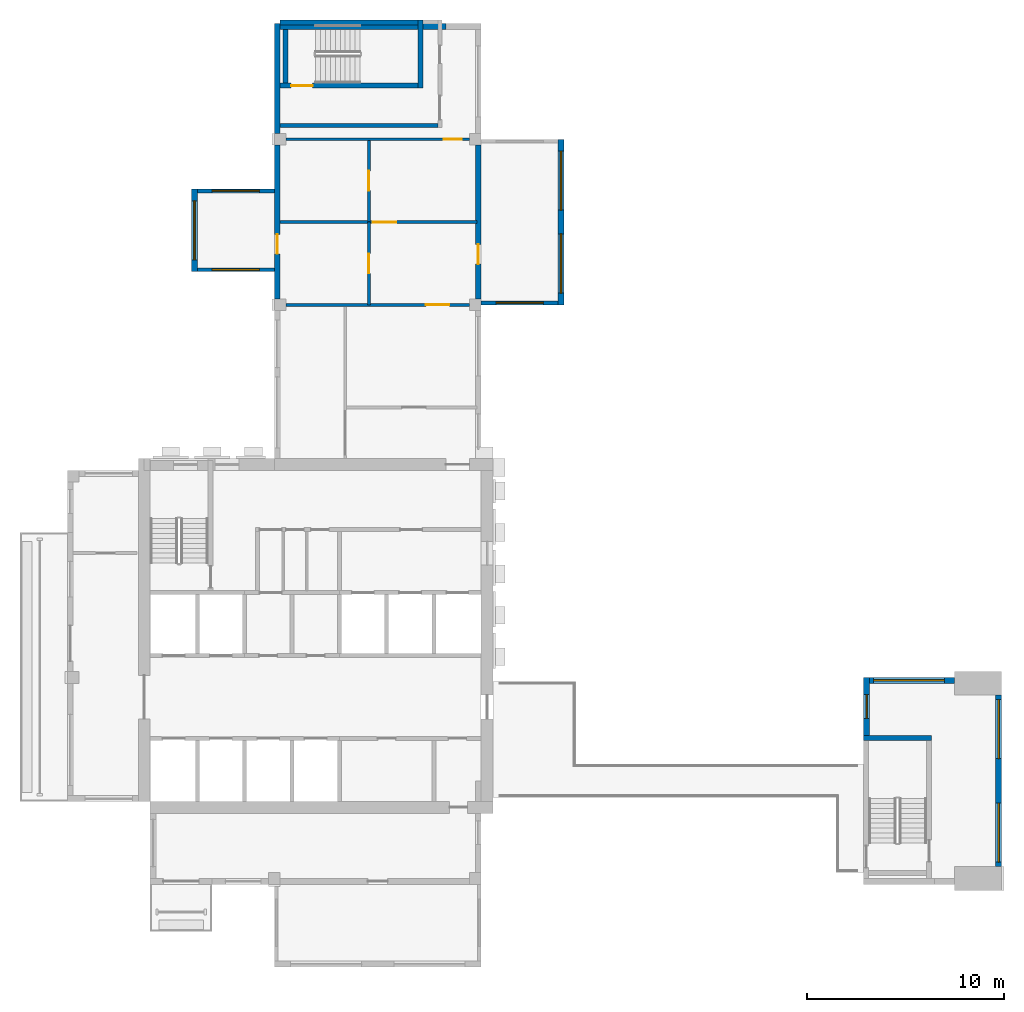
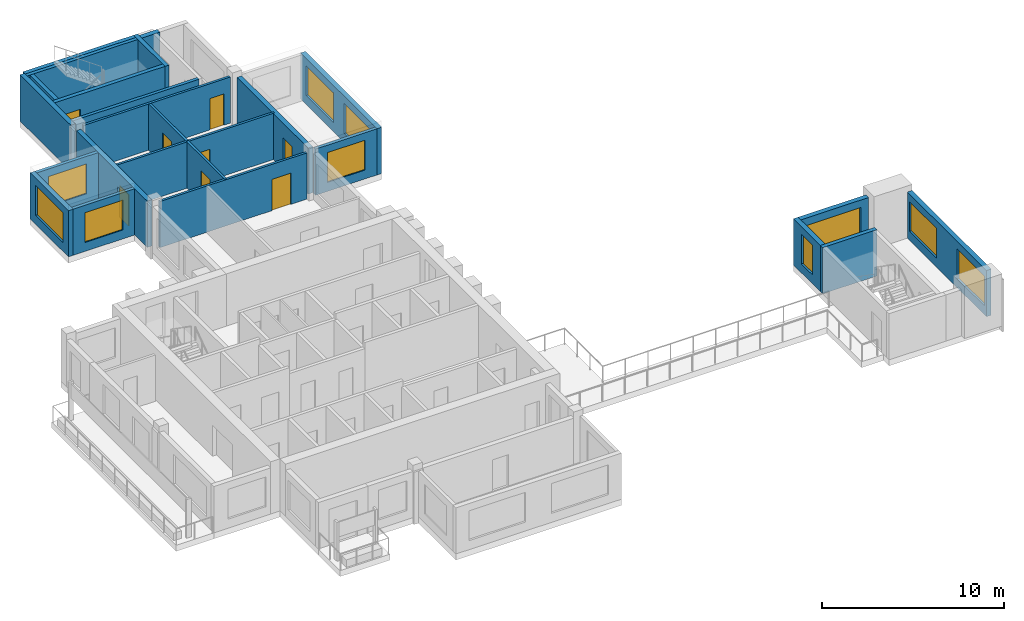
# One storey, part 4 of 9: 23 walls, 10 windows, 8 doors, 18 openings.
"""IFC4 building model written with IfcOpenShell, lengths in metres."""

from ifc_helpers import new_model, si_unit, direction, frame, frame_2d, origin, place, context, subcontext, project, spatial, rectangle, extrude, source, transform, mapped, material, layer, layer_set, type_object, element, fill, save


model = new_model("IFC4")

# Units and contexts
model_context = context("Model", 3, precision=1e-05, world=origin(), true_north=direction((0.0, 1.0)))
body_context = subcontext(model_context, "Body", "Model", "MODEL_VIEW")
ifc_project = project(units=[si_unit("LENGTHUNIT", "METRE"), si_unit("AREAUNIT", "SQUARE_METRE"), si_unit("VOLUMEUNIT", "CUBIC_METRE"), si_unit("PLANEANGLEUNIT", "RADIAN"), si_unit("MASSUNIT", "GRAM", prefix="KILO")], contexts=[model_context])

# Site, building, storey
site_placement = place(None, origin())
site = spatial("IfcSite", under=ifc_project, at=site_placement, CompositionType="ELEMENT")
building_placement = place(site_placement, origin())
building = spatial("IfcBuilding", under=site, at=building_placement, Name="Aurelian Terraces", CompositionType="ELEMENT")
storey_placement = place(building_placement, frame((0.0, 0.0, 333.5)))
storey = spatial("IfcBuildingStorey", under=building, at=storey_placement, Name="L78", CompositionType="ELEMENT", Elevation=333.5)

# Wall, openings, windows
ifc_material_1 = material(Name="Terracotta rainscreen cladding", Category="masonry")
ifc_layer_1 = layer(ifc_material_1, 0.3)
ifc_layer_set_1 = layer_set([ifc_layer_1], Name="EW-300")
wall_type_1 = type_object("IfcWallType", Name="EW-300", PredefinedType="STANDARD", material=ifc_layer_set_1)
wall_1_placement = place(storey_placement, frame((47.25, 0.9, 0.0), z_axis=(0.0, 0.0, 1.0), x_axis=(0.0, 1.0, 0.0)))
wall_1 = element("IfcWall", 1, at=wall_1_placement, inside=storey, type_object=wall_type_1, Name="External wall L78 F14.23", PredefinedType="STANDARD", context=body_context, shape_type="SweptSolid", body=[
    extrude(rectangle(XDim=8.7, YDim=0.3, at=frame_2d((4.35, 0.0))), origin(), (0.0, 0.0, 1.0), 3.1),
])
shared_shape_1 = source(origin(), body_context, "Body", "SweptSolid", [
    extrude(rectangle(XDim=3.0, YDim=2.0, at=frame_2d((1.5, 1.0))), frame((0.0, 0.16, 0.0), z_axis=(0.0, -1.0, 0.0), x_axis=(1.0, 0.0, 0.0)), (0.0, 0.0, 1.0), 0.32),
])
opening_1_placement = place(wall_1_placement, frame((0.225, 0.0, 0.6)))
opening_1 = element("IfcOpeningElement", 2, at=opening_1_placement, cuts=wall_1, Name="Opening W3020", PredefinedType="OPENING", context=body_context, shape_type="MappedRepresentation", body=[
    mapped(shared_shape_1, transform((0.0, 0.0, 0.0), scale=1.0)),
])
opening_2_placement = place(wall_1_placement, frame((5.475, 0.0, 0.6)))
opening_2 = element("IfcOpeningElement", 3, at=opening_2_placement, cuts=wall_1, Name="Opening W3020", PredefinedType="OPENING", context=body_context, shape_type="MappedRepresentation", body=[
    mapped(shared_shape_1, transform((0.0, 0.0, 0.0), scale=1.0)),
])
ifc_material_2 = material(Name="Clear glazing", Category="glass")
window_type_1 = type_object("IfcWindowType", Name="W-3000x2000", PartitioningType="SINGLE_PANEL", PredefinedType="WINDOW", material=ifc_material_2)
shared_shape_2 = source(origin(), body_context, "Body", "SweptSolid", [
    extrude(rectangle(XDim=3.0, YDim=2.0, at=frame_2d((1.5, 1.0))), frame((0.0, 0.03, 0.0), z_axis=(0.0, -1.0, 0.0), x_axis=(1.0, 0.0, 0.0)), (0.0, 0.0, 1.0), 0.06),
])
window_1_placement = place(opening_1_placement, origin())
window_1 = element("IfcWindow", 4, at=window_1_placement, inside=storey, type_object=window_type_1, Name="Window L78 L78-F14-23-0", OverallHeight=2.0, OverallWidth=3.0, PartitioningType="SINGLE_PANEL", PredefinedType="WINDOW", context=body_context, shape_type="MappedRepresentation", body=[
    mapped(shared_shape_2, transform((0.0, 0.0, 0.0), scale=1.0)),
])
fill(opening_1, window_1)
window_2_placement = place(opening_2_placement, origin())
window_2 = element("IfcWindow", 5, at=window_2_placement, inside=storey, type_object=window_type_1, Name="Window L78 L78-F14-23-1", OverallHeight=2.0, OverallWidth=3.0, PartitioningType="SINGLE_PANEL", PredefinedType="WINDOW", context=body_context, shape_type="MappedRepresentation", body=[
    mapped(shared_shape_2, transform((0.0, 0.0, 0.0), scale=1.0)),
])
fill(opening_2, window_2)

# Wall, opening, window
wall_2_placement = place(storey_placement, frame((45.0, 10.35, 0.0), z_axis=(0.0, 0.0, 1.0), x_axis=(-1.0, 0.0, 0.0)))
wall_2 = element("IfcWall", 6, at=wall_2_placement, inside=storey, type_object=wall_type_1, Name="External wall L78 F15.24", PredefinedType="STANDARD", context=body_context, shape_type="SweptSolid", body=[
    extrude(rectangle(XDim=4.6, YDim=0.3, at=frame_2d((2.3, 0.0))), origin(), (0.0, 0.0, 1.0), 3.1),
])
shared_shape_3 = source(origin(), body_context, "Body", "SweptSolid", [
    extrude(rectangle(XDim=3.6, YDim=2.0, at=frame_2d((1.8, 1.0))), frame((0.0, 0.16, 0.0), z_axis=(0.0, -1.0, 0.0), x_axis=(1.0, 0.0, 0.0)), (0.0, 0.0, 1.0), 0.32),
])
opening_3_placement = place(wall_2_placement, frame((0.5, 0.0, 0.6)))
opening_3 = element("IfcOpeningElement", 7, at=opening_3_placement, cuts=wall_2, Name="Opening W3620", PredefinedType="OPENING", context=body_context, shape_type="MappedRepresentation", body=[
    mapped(shared_shape_3, transform((0.0, 0.0, 0.0), scale=1.0)),
])
window_type_2 = type_object("IfcWindowType", Name="W-3600x2000", PartitioningType="SINGLE_PANEL", PredefinedType="WINDOW", material=ifc_material_2)
shared_shape_4 = source(origin(), body_context, "Body", "SweptSolid", [
    extrude(rectangle(XDim=3.6, YDim=2.0, at=frame_2d((1.8, 1.0))), frame((0.0, 0.03, 0.0), z_axis=(0.0, -1.0, 0.0), x_axis=(1.0, 0.0, 0.0)), (0.0, 0.0, 1.0), 0.06),
])
window_3_placement = place(opening_3_placement, origin())
window_3 = element("IfcWindow", 8, at=window_3_placement, inside=storey, type_object=window_type_2, Name="Window L78 L78-F15-24-P0", OverallHeight=2.0, OverallWidth=3.6, PartitioningType="SINGLE_PANEL", PredefinedType="WINDOW", context=body_context, shape_type="MappedRepresentation", body=[
    mapped(shared_shape_4, transform((0.0, 0.0, 0.0), scale=1.0)),
])
fill(opening_3, window_3)

wall_3_placement = place(storey_placement, frame((40.55, 10.5, 0.0), z_axis=(0.0, 0.0, 1.0), x_axis=(0.0, -1.0, 0.0)))
wall_3 = element("IfcWall", 9, at=wall_3_placement, inside=storey, type_object=wall_type_1, Name="External wall L78 F16.25", PredefinedType="STANDARD", context=body_context, shape_type="SweptSolid", body=[
    extrude(rectangle(XDim=2.95, YDim=0.3, at=frame_2d((1.475, 0.0))), origin(), (0.0, 0.0, 1.0), 3.1),
])
shared_shape_5 = source(origin(), body_context, "Body", "SweptSolid", [
    extrude(rectangle(XDim=1.2, YDim=2.0, at=frame_2d((0.6, 1.0))), frame((0.0, 0.16, 0.0), z_axis=(0.0, -1.0, 0.0), x_axis=(1.0, 0.0, 0.0)), (0.0, 0.0, 1.0), 0.32),
])
opening_4_placement = place(wall_3_placement, frame((0.875, 0.0, 0.6)))
opening_4 = element("IfcOpeningElement", 10, at=opening_4_placement, cuts=wall_3, Name="Opening W1220", PredefinedType="OPENING", context=body_context, shape_type="MappedRepresentation", body=[
    mapped(shared_shape_5, transform((0.0, 0.0, 0.0), scale=1.0)),
])
window_type_3 = type_object("IfcWindowType", Name="W-1200x2000", PartitioningType="SINGLE_PANEL", PredefinedType="WINDOW", material=ifc_material_2)
shared_shape_6 = source(origin(), body_context, "Body", "SweptSolid", [
    extrude(rectangle(XDim=1.2, YDim=2.0, at=frame_2d((0.6, 1.0))), frame((0.0, 0.03, 0.0), z_axis=(0.0, -1.0, 0.0), x_axis=(1.0, 0.0, 0.0)), (0.0, 0.0, 1.0), 0.06),
])
window_4_placement = place(opening_4_placement, origin())
window_4 = element("IfcWindow", 11, at=window_4_placement, inside=storey, type_object=window_type_3, Name="Window L78 L78-F16-25-0", OverallHeight=2.0, OverallWidth=1.2, PartitioningType="SINGLE_PANEL", PredefinedType="WINDOW", context=body_context, shape_type="MappedRepresentation", body=[
    mapped(shared_shape_6, transform((0.0, 0.0, 0.0), scale=1.0)),
])
fill(opening_4, window_4)

# Wall, opening, door
ifc_material_3 = material(Name="Gypsum board on steel studs", Category="steel")
ifc_layer_2 = layer(ifc_material_3, 0.15)
ifc_layer_set_2 = layer_set([ifc_layer_2], Name="Partition 150")
wall_type_2 = type_object("IfcWallType", Name="Partition 150", PredefinedType="PARTITIONING", material=ifc_layer_set_2)
wall_4_placement = place(storey_placement, frame((15.3, 33.6, 0.0), z_axis=(0.0, 0.0, 1.0), x_axis=(0.0, -1.0, 0.0)))
wall_4 = element("IfcWall", 12, at=wall_4_placement, inside=storey, type_object=wall_type_2, Name="Partition", PredefinedType="PARTITIONING", context=body_context, shape_type="SweptSolid", body=[
    extrude(rectangle(XDim=4.2, YDim=0.15, at=frame_2d((2.1, 0.0))), origin(), (0.0, 0.0, 1.0), 3.1),
])
shared_shape_7 = source(origin(), body_context, "Body", "SweptSolid", [
    extrude(rectangle(XDim=1.0, YDim=2.1, at=frame_2d((0.5, 1.05))), frame((0.0, 0.085, 0.0), z_axis=(0.0, -1.0, 0.0), x_axis=(1.0, 0.0, 0.0)), (0.0, 0.0, 1.0), 0.17),
])
opening_5_placement = place(wall_4_placement, frame((1.6, 0.0, 0.0)))
opening_5 = element("IfcOpeningElement", 13, at=opening_5_placement, cuts=wall_4, Name="Opening 778003", PredefinedType="OPENING", context=body_context, shape_type="MappedRepresentation", body=[
    mapped(shared_shape_7, transform((0.0, 0.0, 0.0), scale=1.0)),
])
ifc_material_4 = material(Name="Timber door leaf", Category="wood")
door_type_1 = type_object("IfcDoorType", Name="Room door 1000x2100 left", OperationType="SINGLE_SWING_LEFT", PredefinedType="DOOR", material=ifc_material_4)
shared_shape_8 = source(origin(), body_context, "Body", "SweptSolid", [
    extrude(rectangle(XDim=1.0, YDim=2.1, at=frame_2d((0.5, 1.05))), frame((0.0, 0.025, 0.0), z_axis=(0.0, -1.0, 0.0), x_axis=(1.0, 0.0, 0.0)), (0.0, 0.0, 1.0), 0.05),
])
door_1_placement = place(opening_5_placement, origin())
door_1 = element("IfcDoor", 14, at=door_1_placement, inside=storey, type_object=door_type_1, Name="Door 778003", OperationType="SINGLE_SWING_LEFT", OverallHeight=2.1, OverallWidth=1.0, PredefinedType="DOOR", context=body_context, shape_type="MappedRepresentation", body=[
    mapped(shared_shape_8, transform((0.0, 0.0, 0.0), scale=1.0)),
])
fill(opening_5, door_1)

wall_5_placement = place(storey_placement, frame((15.3, 37.725, 0.0), z_axis=(0.0, 0.0, 1.0), x_axis=(0.0, -1.0, 0.0)))
wall_5 = element("IfcWall", 15, at=wall_5_placement, inside=storey, type_object=wall_type_2, Name="Partition", PredefinedType="PARTITIONING", context=body_context, shape_type="SweptSolid", body=[
    extrude(rectangle(XDim=4.105, YDim=0.15, at=frame_2d((2.0525, 0.0))), origin(), (0.0, 0.0, 1.0), 3.1),
])
opening_6_placement = place(wall_5_placement, frame((1.525, 0.0, 0.0)))
opening_6 = element("IfcOpeningElement", 16, at=opening_6_placement, cuts=wall_5, Name="Opening 778004", PredefinedType="OPENING", context=body_context, shape_type="MappedRepresentation", body=[
    mapped(shared_shape_7, transform((0.0, 0.0, 0.0), scale=1.0)),
])
door_type_2 = type_object("IfcDoorType", Name="Room door 1000x2100 right", OperationType="SINGLE_SWING_RIGHT", PredefinedType="DOOR", material=ifc_material_4)
door_2_placement = place(opening_6_placement, origin())
door_2 = element("IfcDoor", 17, at=door_2_placement, inside=storey, type_object=door_type_2, Name="Door 778004", OperationType="SINGLE_SWING_RIGHT", OverallHeight=2.1, OverallWidth=1.0, PredefinedType="DOOR", context=body_context, shape_type="MappedRepresentation", body=[
    mapped(shared_shape_8, transform((0.0, 0.0, 0.0), scale=1.0)),
])
fill(opening_6, door_2)

wall_6_placement = place(storey_placement, frame((10.8, 33.6, 0.0), z_axis=(0.0, 0.0, 1.0), x_axis=(1.0, 0.0, 0.0)))
wall_6 = element("IfcWall", 18, at=wall_6_placement, inside=storey, type_object=wall_type_2, Name="Partition", PredefinedType="PARTITIONING", context=body_context, shape_type="SweptSolid", body=[
    extrude(rectangle(XDim=9.995, YDim=0.15, at=frame_2d((4.9975, 0.0))), origin(), (0.0, 0.0, 1.0), 3.1),
])
shared_shape_9 = source(origin(), body_context, "Body", "SweptSolid", [
    extrude(rectangle(XDim=1.2, YDim=2.1, at=frame_2d((0.6, 1.05))), frame((0.0, 0.085, 0.0), z_axis=(0.0, -1.0, 0.0), x_axis=(1.0, 0.0, 0.0)), (0.0, 0.0, 1.0), 0.17),
])
opening_7_placement = place(wall_6_placement, frame((4.7, 0.0, 0.0)))
opening_7 = element("IfcOpeningElement", 19, at=opening_7_placement, cuts=wall_6, Name="Opening 778006", PredefinedType="OPENING", context=body_context, shape_type="MappedRepresentation", body=[
    mapped(shared_shape_9, transform((0.0, 0.0, 0.0), scale=1.0)),
])
door_type_3 = type_object("IfcDoorType", Name="Room door 1200x2100 left", OperationType="SINGLE_SWING_LEFT", PredefinedType="DOOR", material=ifc_material_4)
shared_shape_10 = source(origin(), body_context, "Body", "SweptSolid", [
    extrude(rectangle(XDim=1.2, YDim=2.1, at=frame_2d((0.6, 1.05))), frame((0.0, 0.025, 0.0), z_axis=(0.0, -1.0, 0.0), x_axis=(1.0, 0.0, 0.0)), (0.0, 0.0, 1.0), 0.05),
])
door_3_placement = place(opening_7_placement, origin())
door_3 = element("IfcDoor", 20, at=door_3_placement, inside=storey, type_object=door_type_3, Name="Door 778006", OperationType="SINGLE_SWING_LEFT", OverallHeight=2.1, OverallWidth=1.2, PredefinedType="DOOR", context=body_context, shape_type="MappedRepresentation", body=[
    mapped(shared_shape_10, transform((0.0, 0.0, 0.0), scale=1.0)),
])
fill(opening_7, door_3)

# Wall, opening, window
ifc_material_5 = material(Name="Concrete fc' 40 MPa", Category="concrete")
ifc_layer_3 = layer(ifc_material_5, 0.2)
ifc_layer_set_3 = layer_set([ifc_layer_3], Name="BOX BEARING WALL 200")
wall_type_3 = type_object("IfcWallType", Name="BOX BEARING WALL 200", PredefinedType="SOLIDWALL", material=ifc_layer_set_3)
shared_shape_11 = source(origin(), body_context, "Body", "SweptSolid", [
    extrude(rectangle(XDim=3.9, YDim=0.2, at=frame_2d((1.95, 0.0))), origin(), (0.0, 0.0, 1.0), 3.1),
])
wall_7_placement = place(storey_placement, frame((21.0, 29.5, 0.0), z_axis=(0.0, 0.0, 1.0), x_axis=(1.0, 0.0, 0.0)))
wall_7 = element("IfcWall", 21, at=wall_7_placement, inside=storey, type_object=wall_type_3, Name="Box return L78 J91.1", PredefinedType="SOLIDWALL", context=body_context, shape_type="MappedRepresentation", body=[
    mapped(shared_shape_11, transform((0.0, 0.0, 0.0), scale=1.0)),
])
shared_shape_12 = source(origin(), body_context, "Body", "SweptSolid", [
    extrude(rectangle(XDim=2.4, YDim=2.0, at=frame_2d((1.2, 1.0))), frame((0.0, 0.11, 0.0), z_axis=(0.0, -1.0, 0.0), x_axis=(1.0, 0.0, 0.0)), (0.0, 0.0, 1.0), 0.22),
])
opening_8_placement = place(wall_7_placement, frame((0.75, 0.0, 0.6)))
opening_8 = element("IfcOpeningElement", 22, at=opening_8_placement, cuts=wall_7, Name="Opening W2420", PredefinedType="OPENING", context=body_context, shape_type="MappedRepresentation", body=[
    mapped(shared_shape_12, transform((0.0, 0.0, 0.0), scale=1.0)),
])
window_type_4 = type_object("IfcWindowType", Name="W-2400x2000", PartitioningType="SINGLE_PANEL", PredefinedType="WINDOW", material=ifc_material_2)
shared_shape_13 = source(origin(), body_context, "Body", "SweptSolid", [
    extrude(rectangle(XDim=2.4, YDim=2.0, at=frame_2d((1.2, 1.0))), frame((0.0, 0.03, 0.0), z_axis=(0.0, -1.0, 0.0), x_axis=(1.0, 0.0, 0.0)), (0.0, 0.0, 1.0), 0.06),
])
window_5_placement = place(opening_8_placement, origin())
window_5 = element("IfcWindow", 23, at=window_5_placement, inside=storey, type_object=window_type_4, Name="Window L78 J91-S1", OverallHeight=2.0, OverallWidth=2.4, PartitioningType="SINGLE_PANEL", PredefinedType="WINDOW", context=body_context, shape_type="MappedRepresentation", body=[
    mapped(shared_shape_13, transform((0.0, 0.0, 0.0), scale=1.0)),
])
fill(opening_8, window_5)

wall_8_placement = place(storey_placement, frame((10.5, 35.18, 0.0), z_axis=(0.0, 0.0, 1.0), x_axis=(-1.0, 0.0, 0.0)))
wall_8 = element("IfcWall", 24, at=wall_8_placement, inside=storey, type_object=wall_type_3, Name="Box return L78 J92.1", PredefinedType="SOLIDWALL", context=body_context, shape_type="MappedRepresentation", body=[
    mapped(shared_shape_11, transform((0.0, 0.0, 0.0), scale=1.0)),
])
opening_9_placement = place(wall_8_placement, frame((0.75, 0.0, 0.6)))
opening_9 = element("IfcOpeningElement", 25, at=opening_9_placement, cuts=wall_8, Name="Opening W2420", PredefinedType="OPENING", context=body_context, shape_type="MappedRepresentation", body=[
    mapped(shared_shape_12, transform((0.0, 0.0, 0.0), scale=1.0)),
])
window_6_placement = place(opening_9_placement, origin())
window_6 = element("IfcWindow", 26, at=window_6_placement, inside=storey, type_object=window_type_4, Name="Window L78 J92-S1", OverallHeight=2.0, OverallWidth=2.4, PartitioningType="SINGLE_PANEL", PredefinedType="WINDOW", context=body_context, shape_type="MappedRepresentation", body=[
    mapped(shared_shape_13, transform((0.0, 0.0, 0.0), scale=1.0)),
])
fill(opening_9, window_6)

wall_9_placement = place(storey_placement, frame((10.5, 31.18, 0.0), z_axis=(0.0, 0.0, 1.0), x_axis=(-1.0, 0.0, 0.0)))
wall_9 = element("IfcWall", 27, at=wall_9_placement, inside=storey, type_object=wall_type_3, Name="Box return L78 J92.2", PredefinedType="SOLIDWALL", context=body_context, shape_type="MappedRepresentation", body=[
    mapped(shared_shape_11, transform((0.0, 0.0, 0.0), scale=1.0)),
])
opening_10_placement = place(wall_9_placement, frame((0.75, 0.0, 0.6)))
opening_10 = element("IfcOpeningElement", 28, at=opening_10_placement, cuts=wall_9, Name="Opening W2420", PredefinedType="OPENING", context=body_context, shape_type="MappedRepresentation", body=[
    mapped(shared_shape_12, transform((0.0, 0.0, 0.0), scale=1.0)),
])
window_7_placement = place(opening_10_placement, origin())
window_7 = element("IfcWindow", 29, at=window_7_placement, inside=storey, type_object=window_type_4, Name="Window L78 J92-S2", OverallHeight=2.0, OverallWidth=2.4, PartitioningType="SINGLE_PANEL", PredefinedType="WINDOW", context=body_context, shape_type="MappedRepresentation", body=[
    mapped(shared_shape_13, transform((0.0, 0.0, 0.0), scale=1.0)),
])
fill(opening_10, window_7)

# Wall
ifc_layer_4 = layer(ifc_material_5, 0.3)
ifc_layer_set_4 = layer_set([ifc_layer_4], Name="STAIR BAY WALL 300")
wall_type_4 = type_object("IfcWallType", Name="STAIR BAY WALL 300", PredefinedType="SOLIDWALL", material=ifc_layer_set_4)
shared_shape_14 = source(origin(), body_context, "Body", "SweptSolid", [
    extrude(rectangle(XDim=8.6, YDim=0.3, at=frame_2d((4.3, 0.0))), origin(), (0.0, 0.0, 1.0), 3.1),
])
wall_10_placement = place(storey_placement, frame((19.2, 43.53, 0.0), z_axis=(0.0, 0.0, 1.0), x_axis=(-1.0, 0.0, 0.0)))
element("IfcWall", 30, at=wall_10_placement, inside=storey, type_object=wall_type_4, Name="Stair bay wall L78 F03.10", PredefinedType="SOLIDWALL", context=body_context, shape_type="MappedRepresentation", body=[
    mapped(shared_shape_14, transform((0.0, 0.0, 0.0), scale=1.0)),
])

# Wall, opening, door
shared_shape_15 = source(origin(), body_context, "Body", "SweptSolid", [
    extrude(rectangle(XDim=7.8, YDim=0.3, at=frame_2d((3.9, 0.0))), origin(), (0.0, 0.0, 1.0), 3.1),
])
wall_11_placement = place(storey_placement, frame((20.85, 29.7, 0.0), z_axis=(0.0, 0.0, 1.0), x_axis=(0.0, 1.0, 0.0)))
wall_11 = element("IfcWall", 31, at=wall_11_placement, inside=storey, type_object=wall_type_1, Name="External wall L78 F02.8", PredefinedType="STANDARD", context=body_context, shape_type="MappedRepresentation", body=[
    mapped(shared_shape_15, transform((0.0, 0.0, 0.0), scale=1.0)),
])
shared_shape_16 = source(origin(), body_context, "Body", "SweptSolid", [
    extrude(rectangle(XDim=1.0, YDim=2.1, at=frame_2d((0.5, 1.05))), frame((0.0, 0.16, 0.0), z_axis=(0.0, -1.0, 0.0), x_axis=(1.0, 0.0, 0.0)), (0.0, 0.0, 1.0), 0.32),
])
opening_11_placement = place(wall_11_placement, frame((1.7667, 0.0, 0.0)))
opening_11 = element("IfcOpeningElement", 32, at=opening_11_placement, cuts=wall_11, Name="Opening 878001", PredefinedType="OPENING", context=body_context, shape_type="MappedRepresentation", body=[
    mapped(shared_shape_16, transform((0.0, 0.0, 0.0), scale=1.0)),
])
door_4_placement = place(opening_11_placement, origin())
door_4 = element("IfcDoor", 33, at=door_4_placement, inside=storey, type_object=door_type_1, Name="Door 878001", OperationType="SINGLE_SWING_LEFT", OverallHeight=2.1, OverallWidth=1.0, PredefinedType="DOOR", context=body_context, shape_type="MappedRepresentation", body=[
    mapped(shared_shape_8, transform((0.0, 0.0, 0.0), scale=1.0)),
])
fill(opening_11, door_4)

wall_12_placement = place(storey_placement, frame((10.65, 37.5, 0.0), z_axis=(0.0, 0.0, 1.0), x_axis=(0.0, -1.0, 0.0)))
wall_12 = element("IfcWall", 34, at=wall_12_placement, inside=storey, type_object=wall_type_1, Name="External wall L78 F04.11", PredefinedType="STANDARD", context=body_context, shape_type="MappedRepresentation", body=[
    mapped(shared_shape_15, transform((0.0, 0.0, 0.0), scale=1.0)),
])
opening_12_placement = place(wall_12_placement, frame((4.52, 0.0, 0.0)))
opening_12 = element("IfcOpeningElement", 35, at=opening_12_placement, cuts=wall_12, Name="Opening 878002", PredefinedType="OPENING", context=body_context, shape_type="MappedRepresentation", body=[
    mapped(shared_shape_16, transform((0.0, 0.0, 0.0), scale=1.0)),
])
door_5_placement = place(opening_12_placement, origin())
door_5 = element("IfcDoor", 36, at=door_5_placement, inside=storey, type_object=door_type_1, Name="Door 878002", OperationType="SINGLE_SWING_LEFT", OverallHeight=2.1, OverallWidth=1.0, PredefinedType="DOOR", context=body_context, shape_type="MappedRepresentation", body=[
    mapped(shared_shape_8, transform((0.0, 0.0, 0.0), scale=1.0)),
])
fill(opening_12, door_5)

# Wall
shared_shape_17 = source(origin(), body_context, "Body", "SweptSolid", [
    extrude(rectangle(XDim=5.58, YDim=0.3, at=frame_2d((2.79, 0.0))), origin(), (0.0, 0.0, 1.0), 3.1),
])
wall_13_placement = place(storey_placement, frame((10.65, 43.68, 0.0), z_axis=(0.0, 0.0, 1.0), x_axis=(0.0, -1.0, 0.0)))
element("IfcWall", 37, at=wall_13_placement, inside=storey, type_object=wall_type_4, Name="Stair bay wall L78 F04.11", PredefinedType="SOLIDWALL", context=body_context, shape_type="MappedRepresentation", body=[
    mapped(shared_shape_17, transform((0.0, 0.0, 0.0), scale=1.0)),
])

# Wall, openings, windows
ifc_layer_5 = layer(ifc_material_5, 0.3)
ifc_layer_set_5 = layer_set([ifc_layer_5], Name="BOX BEARING WALL 300")
wall_type_5 = type_object("IfcWallType", Name="BOX BEARING WALL 300", PredefinedType="SOLIDWALL", material=ifc_layer_set_5)
shared_shape_18 = source(origin(), body_context, "Body", "SweptSolid", [
    extrude(rectangle(XDim=8.4, YDim=0.3, at=frame_2d((4.2, 0.0))), origin(), (0.0, 0.0, 1.0), 3.1),
])
wall_14_placement = place(storey_placement, frame((25.05, 29.4, 0.0), z_axis=(0.0, 0.0, 1.0), x_axis=(0.0, 1.0, 0.0)))
wall_14 = element("IfcWall", 38, at=wall_14_placement, inside=storey, type_object=wall_type_5, Name="Box wall L78 J91", PredefinedType="SOLIDWALL", context=body_context, shape_type="MappedRepresentation", body=[
    mapped(shared_shape_18, transform((0.0, 0.0, 0.0), scale=1.0)),
])
opening_13_placement = place(wall_14_placement, frame((0.6, 0.0, 0.6)))
opening_13 = element("IfcOpeningElement", 39, at=opening_13_placement, cuts=wall_14, Name="Opening W3020", PredefinedType="OPENING", context=body_context, shape_type="MappedRepresentation", body=[
    mapped(shared_shape_1, transform((0.0, 0.0, 0.0), scale=1.0)),
])
opening_14_placement = place(wall_14_placement, frame((4.8, 0.0, 0.6)))
opening_14 = element("IfcOpeningElement", 40, at=opening_14_placement, cuts=wall_14, Name="Opening W3020", PredefinedType="OPENING", context=body_context, shape_type="MappedRepresentation", body=[
    mapped(shared_shape_1, transform((0.0, 0.0, 0.0), scale=1.0)),
])
window_8_placement = place(opening_13_placement, origin())
window_8 = element("IfcWindow", 41, at=window_8_placement, inside=storey, type_object=window_type_1, Name="Window L78 J91-F1", OverallHeight=2.0, OverallWidth=3.0, PartitioningType="SINGLE_PANEL", PredefinedType="WINDOW", context=body_context, shape_type="MappedRepresentation", body=[
    mapped(shared_shape_2, transform((0.0, 0.0, 0.0), scale=1.0)),
])
fill(opening_13, window_8)
window_9_placement = place(opening_14_placement, origin())
window_9 = element("IfcWindow", 42, at=window_9_placement, inside=storey, type_object=window_type_1, Name="Window L78 J91-F2", OverallHeight=2.0, OverallWidth=3.0, PartitioningType="SINGLE_PANEL", PredefinedType="WINDOW", context=body_context, shape_type="MappedRepresentation", body=[
    mapped(shared_shape_2, transform((0.0, 0.0, 0.0), scale=1.0)),
])
fill(opening_14, window_9)

# Wall, opening, window
shared_shape_19 = source(origin(), body_context, "Body", "SweptSolid", [
    extrude(rectangle(XDim=4.2, YDim=0.3, at=frame_2d((2.1, 0.0))), origin(), (0.0, 0.0, 1.0), 3.1),
])
wall_15_placement = place(storey_placement, frame((6.45, 35.28, 0.0), z_axis=(0.0, 0.0, 1.0), x_axis=(0.0, -1.0, 0.0)))
wall_15 = element("IfcWall", 43, at=wall_15_placement, inside=storey, type_object=wall_type_5, Name="Box wall L78 J92", PredefinedType="SOLIDWALL", context=body_context, shape_type="MappedRepresentation", body=[
    mapped(shared_shape_19, transform((0.0, 0.0, 0.0), scale=1.0)),
])
opening_15_placement = place(wall_15_placement, frame((0.6, 0.0, 0.6)))
opening_15 = element("IfcOpeningElement", 44, at=opening_15_placement, cuts=wall_15, Name="Opening W3020", PredefinedType="OPENING", context=body_context, shape_type="MappedRepresentation", body=[
    mapped(shared_shape_1, transform((0.0, 0.0, 0.0), scale=1.0)),
])
window_10_placement = place(opening_15_placement, origin())
window_10 = element("IfcWindow", 45, at=window_10_placement, inside=storey, type_object=window_type_1, Name="Window L78 J92-F1", OverallHeight=2.0, OverallWidth=3.0, PartitioningType="SINGLE_PANEL", PredefinedType="WINDOW", context=body_context, shape_type="MappedRepresentation", body=[
    mapped(shared_shape_2, transform((0.0, 0.0, 0.0), scale=1.0)),
])
fill(opening_15, window_10)

# Wall, opening, door
ifc_layer_6 = layer(ifc_material_5, 0.25)
ifc_layer_set_6 = layer_set([ifc_layer_6], Name="Stair enclosure wall 250")
wall_type_6 = type_object("IfcWallType", Name="Stair enclosure wall 250", PredefinedType="SOLIDWALL", material=ifc_layer_set_6)
shared_shape_20 = source(origin(), body_context, "Body", "SweptSolid", [
    extrude(rectangle(XDim=7.0, YDim=0.25, at=frame_2d((3.5, 0.0))), origin(), (0.0, 0.0, 1.0), 3.1),
])
wall_16_placement = place(storey_placement, frame((10.8, 40.525, 0.0), z_axis=(0.0, 0.0, 1.0), x_axis=(1.0, 0.0, 0.0)))
wall_16 = element("IfcWall", 46, at=wall_16_placement, inside=storey, type_object=wall_type_6, Name="L78 core wall ST-S3U-W", PredefinedType="SOLIDWALL", context=body_context, shape_type="MappedRepresentation", body=[
    mapped(shared_shape_20, transform((0.0, 0.0, 0.0), scale=1.0)),
])
shared_shape_21 = source(origin(), body_context, "Body", "SweptSolid", [
    extrude(rectangle(XDim=1.1, YDim=2.1, at=frame_2d((0.55, 1.05))), frame((0.0, 0.135, 0.0), z_axis=(0.0, -1.0, 0.0), x_axis=(1.0, 0.0, 0.0)), (0.0, 0.0, 1.0), 0.27),
])
opening_16_placement = place(wall_16_placement, frame((0.55, 0.0, 0.0)))
opening_16 = element("IfcOpeningElement", 47, at=opening_16_placement, cuts=wall_16, Name="Opening 68121", PredefinedType="OPENING", context=body_context, shape_type="MappedRepresentation", body=[
    mapped(shared_shape_21, transform((0.0, 0.0, 0.0), scale=1.0)),
])
ifc_material_6 = material(Name="Steel door leaf", Category="steel")
door_type_4 = type_object("IfcDoorType", Name="Core fire door 1100x2100", OperationType="SINGLE_SWING_LEFT", PredefinedType="DOOR", material=ifc_material_6)
shared_shape_22 = source(origin(), body_context, "Body", "SweptSolid", [
    extrude(rectangle(XDim=1.1, YDim=2.1, at=frame_2d((0.55, 1.05))), frame((0.0, 0.025, 0.0), z_axis=(0.0, -1.0, 0.0), x_axis=(1.0, 0.0, 0.0)), (0.0, 0.0, 1.0), 0.05),
])
door_6_placement = place(opening_16_placement, origin())
door_6 = element("IfcDoor", 48, at=door_6_placement, inside=storey, type_object=door_type_4, Name="Stair door 68121", OperationType="SINGLE_SWING_LEFT", OverallHeight=2.1, OverallWidth=1.1, PredefinedType="DOOR", context=body_context, shape_type="MappedRepresentation", body=[
    mapped(shared_shape_22, transform((0.0, 0.0, 0.0), scale=1.0)),
])
fill(opening_16, door_6)

# Walls
wall_17_placement = place(storey_placement, frame((10.8, 43.725, 0.0), z_axis=(0.0, 0.0, 1.0), x_axis=(1.0, 0.0, 0.0)))
element("IfcWall", 49, at=wall_17_placement, inside=storey, type_object=wall_type_6, Name="L78 core wall ST-S3U-E", PredefinedType="SOLIDWALL", context=body_context, shape_type="MappedRepresentation", body=[
    mapped(shared_shape_20, transform((0.0, 0.0, 0.0), scale=1.0)),
])
shared_shape_23 = source(origin(), body_context, "Body", "SweptSolid", [
    extrude(rectangle(XDim=3.45, YDim=0.25, at=frame_2d((1.725, 0.0))), origin(), (0.0, 0.0, 1.0), 3.1),
])
for number, where, z_axis, x_axis, name in (
    (50, (40.4, 7.425, 0.0), (0.0, 0.0, 1.0), (1.0, 0.0, 0.0), "L78 core wall ST-S2-N"),
    (51, (17.925, 40.4, 0.0), (0.0, 0.0, 1.0), (0.0, 1.0, 0.0), "L78 core wall ST-S3U-N"),
):
    element("IfcWall", number, at=place(storey_placement, frame(where, z_axis=z_axis, x_axis=x_axis)), inside=storey, type_object=wall_type_6, Name=name, PredefinedType="SOLIDWALL", context=body_context, shape_type="MappedRepresentation", body=[
        mapped(shared_shape_23, transform((0.0, 0.0, 0.0), scale=1.0)),
    ])
ifc_layer_7 = layer(ifc_material_3, 0.2)
ifc_layer_set_7 = layer_set([ifc_layer_7], Name="Core partition 200")
wall_type_7 = type_object("IfcWallType", Name="Core partition 200", PredefinedType="PARTITIONING", material=ifc_layer_set_7)
shared_shape_24 = source(origin(), body_context, "Body", "SweptSolid", [
    extrude(rectangle(XDim=8.0, YDim=0.2, at=frame_2d((4.0, 0.0))), origin(), (0.0, 0.0, 1.0), 3.1),
])
wall_18_placement = place(storey_placement, frame((10.8, 38.5, 0.0), z_axis=(0.0, 0.0, 1.0), x_axis=(1.0, 0.0, 0.0)))
element("IfcWall", 52, at=wall_18_placement, inside=storey, type_object=wall_type_7, Name="L78 core wall ST-S3U-VW", PredefinedType="PARTITIONING", context=body_context, shape_type="MappedRepresentation", body=[
    mapped(shared_shape_24, transform((0.0, 0.0, 0.0), scale=1.0)),
])
shared_shape_25 = source(origin(), body_context, "Body", "SweptSolid", [
    extrude(rectangle(XDim=2.73, YDim=0.25, at=frame_2d((1.365, 0.0))), origin(), (0.0, 0.0, 1.0), 3.1),
])
wall_19_placement = place(storey_placement, frame((11.075, 40.65, 0.0), z_axis=(0.0, 0.0, 1.0), x_axis=(0.0, 1.0, 0.0)))
element("IfcWall", 53, at=wall_19_placement, inside=storey, type_object=wall_type_6, Name="L78 core wall ST-S3U-SS", PredefinedType="SOLIDWALL", context=body_context, shape_type="MappedRepresentation", body=[
    mapped(shared_shape_25, transform((0.0, 0.0, 0.0), scale=1.0)),
])

# Wall, opening, door
shared_shape_26 = source(origin(), body_context, "Body", "SweptSolid", [
    extrude(rectangle(XDim=9.302, YDim=0.15, at=frame_2d((4.651, 0.0))), origin(), (0.0, 0.0, 1.0), 3.1),
])
wall_20_placement = place(storey_placement, frame((11.099, 29.4, 0.0), z_axis=(0.0, 0.0, 1.0), x_axis=(1.0, 0.0, 0.0)))
wall_20 = element("IfcWall", 54, at=wall_20_placement, inside=storey, type_object=wall_type_2, Name="Partition", PredefinedType="PARTITIONING", context=body_context, shape_type="MappedRepresentation", body=[
    mapped(shared_shape_26, transform((0.0, 0.0, 0.0), scale=1.0)),
])
opening_17_placement = place(wall_20_placement, frame((7.0885, 0.0, 0.0)))
opening_17 = element("IfcOpeningElement", 55, at=opening_17_placement, cuts=wall_20, Name="Opening 778005", PredefinedType="OPENING", context=body_context, shape_type="MappedRepresentation", body=[
    mapped(shared_shape_9, transform((0.0, 0.0, 0.0), scale=1.0)),
])
door_type_5 = type_object("IfcDoorType", Name="Room door 1200x2100 right", OperationType="SINGLE_SWING_RIGHT", PredefinedType="DOOR", material=ifc_material_4)
door_7_placement = place(opening_17_placement, origin())
door_7 = element("IfcDoor", 56, at=door_7_placement, inside=storey, type_object=door_type_5, Name="Door 778005", OperationType="SINGLE_SWING_RIGHT", OverallHeight=2.1, OverallWidth=1.2, PredefinedType="DOOR", context=body_context, shape_type="MappedRepresentation", body=[
    mapped(shared_shape_10, transform((0.0, 0.0, 0.0), scale=1.0)),
])
fill(opening_17, door_7)

wall_21_placement = place(storey_placement, frame((20.401, 37.8, 0.0), z_axis=(0.0, 0.0, 1.0), x_axis=(-1.0, 0.0, 0.0)))
wall_21 = element("IfcWall", 57, at=wall_21_placement, inside=storey, type_object=wall_type_2, Name="Partition", PredefinedType="PARTITIONING", context=body_context, shape_type="MappedRepresentation", body=[
    mapped(shared_shape_26, transform((0.0, 0.0, 0.0), scale=1.0)),
])
shared_shape_27 = source(origin(), body_context, "Body", "SweptSolid", [
    extrude(rectangle(XDim=0.9, YDim=2.1, at=frame_2d((0.45, 1.05))), frame((0.0, 0.085, 0.0), z_axis=(0.0, -1.0, 0.0), x_axis=(1.0, 0.0, 0.0)), (0.0, 0.0, 1.0), 0.17),
])
opening_18_placement = place(wall_21_placement, frame((0.401, 0.0, 0.0)))
opening_18 = element("IfcOpeningElement", 58, at=opening_18_placement, cuts=wall_21, Name="Opening 778008", PredefinedType="OPENING", context=body_context, shape_type="MappedRepresentation", body=[
    mapped(shared_shape_27, transform((0.0, 0.0, 0.0), scale=1.0)),
])
door_type_6 = type_object("IfcDoorType", Name="Room door 900x2100 left", OperationType="SINGLE_SWING_LEFT", PredefinedType="DOOR", material=ifc_material_4)
shared_shape_28 = source(origin(), body_context, "Body", "SweptSolid", [
    extrude(rectangle(XDim=0.9, YDim=2.1, at=frame_2d((0.45, 1.05))), frame((0.0, 0.025, 0.0), z_axis=(0.0, -1.0, 0.0), x_axis=(1.0, 0.0, 0.0)), (0.0, 0.0, 1.0), 0.05),
])
door_8_placement = place(opening_18_placement, origin())
door_8 = element("IfcDoor", 59, at=door_8_placement, inside=storey, type_object=door_type_6, Name="Door 778008", OperationType="SINGLE_SWING_LEFT", OverallHeight=2.1, OverallWidth=0.9, PredefinedType="DOOR", context=body_context, shape_type="MappedRepresentation", body=[
    mapped(shared_shape_28, transform((0.0, 0.0, 0.0), scale=1.0)),
])
fill(opening_18, door_8)

save(model, "model.ifc")
